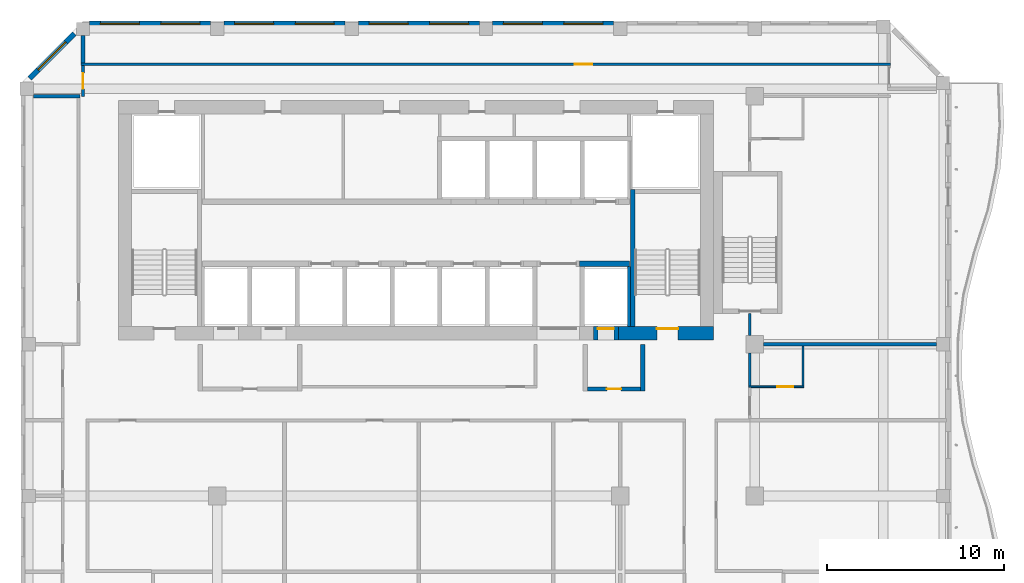
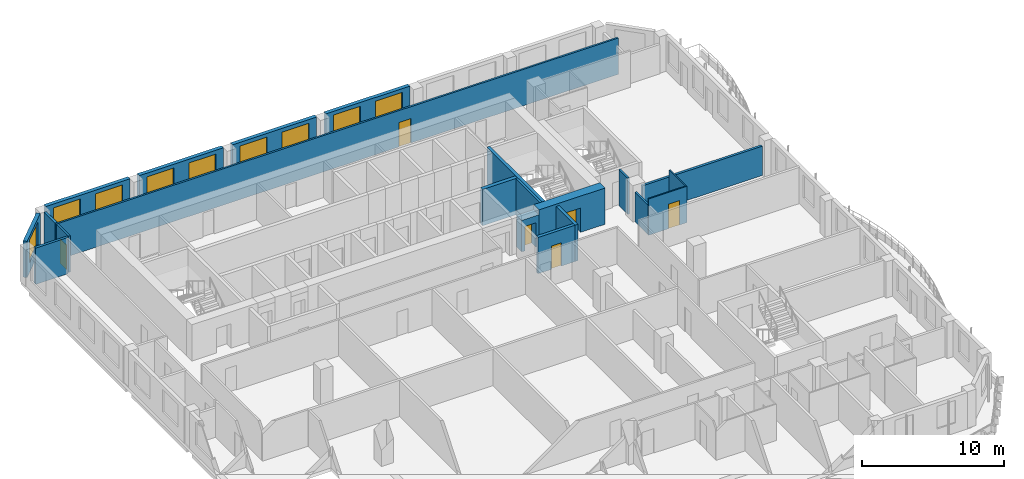
# One storey, part 8 of 21: 21 walls, 9 windows, 6 doors, 15 openings.
"""IFC4 building model written with IfcOpenShell, lengths in metres."""

from ifc_helpers import new_model, si_unit, direction, frame, frame_2d, origin, place, context, subcontext, project, spatial, rectangle, extrude, source, transform, mapped, material, layer, layer_set, type_object, element, fill, save


model = new_model("IFC4")

# Units and contexts
model_context = context("Model", 3, precision=1e-05, world=origin(), true_north=direction((0.0, 1.0)))
body_context = subcontext(model_context, "Body", "Model", "MODEL_VIEW")
ifc_project = project(units=[si_unit("LENGTHUNIT", "METRE"), si_unit("AREAUNIT", "SQUARE_METRE"), si_unit("VOLUMEUNIT", "CUBIC_METRE"), si_unit("PLANEANGLEUNIT", "RADIAN"), si_unit("MASSUNIT", "GRAM", prefix="KILO")], contexts=[model_context])

# Site, building, storey
site_placement = place(None, origin())
site = spatial("IfcSite", under=ifc_project, at=site_placement, CompositionType="ELEMENT")
building_placement = place(site_placement, origin())
building = spatial("IfcBuilding", under=site, at=building_placement, Name="Kilnfold Tower and Market Hall", CompositionType="ELEMENT")
storey_placement = place(building_placement, frame((0.0, 0.0, 210.10009765625)))
storey = spatial("IfcBuildingStorey", under=building, at=storey_placement, Name="L51", CompositionType="ELEMENT", Elevation=210.10009765625)

# Wall, opening, door
ifc_material_1 = material(Name="Gypsum board on steel studs", Category="steel")
ifc_layer_1 = layer(ifc_material_1, 0.14990234375)
ifc_layer_set_1 = layer_set([ifc_layer_1], Name="Gypsum board on steel studs")
wall_type_1 = type_object("IfcWallType", Name="WALL CORRIDOR 150", PredefinedType="PARTITIONING", material=ifc_layer_set_1)
wall_1_placement = place(storey_placement, frame((-17.75, 23.72509765625, 0.0), z_axis=(0.0, 0.0, 1.0), x_axis=(0.0, -1.0, 0.0)))
wall_1 = element("IfcWall", 1, at=wall_1_placement, inside=storey, type_object=wall_type_1, Name="Partition LY31.17", PredefinedType="PARTITIONING", context=body_context, shape_type="SweptSolid", body=[
    extrude(rectangle(XDim=1.72509765625, YDim=0.14990234375, at=frame_2d((0.862548828125, 0.0))), origin(), (0.0, 0.0, 1.0), 3.119873046875),
])
opening_1_placement = place(wall_1_placement, frame((0.4130859375, 0.0, 0.0)))
opening_1 = element("IfcOpeningElement", 2, at=opening_1_placement, cuts=wall_1, Name="Opening D2", PredefinedType="OPENING", context=body_context, shape_type="SweptSolid", body=[
    extrude(rectangle(XDim=0.89990234375, YDim=2.10009765625, at=frame_2d((0.449951171875, 1.050048828125))), frame((0.0, 0.0849609375, 0.0), z_axis=(0.0, -1.0, 0.0), x_axis=(1.0, 0.0, 0.0)), (0.0, 0.0, 1.0), 0.169921875),
])
ifc_material_2 = material(Name="Timber veneer door leaf in steel frame", Category="steel")
door_type_1 = type_object("IfcDoorType", Name="DOOR ROOM 900 X2100", OperationType="NOTDEFINED", PredefinedType="DOOR", material=ifc_material_2)
door_1_placement = place(opening_1_placement, origin())
door_1 = element("IfcDoor", 3, at=door_1_placement, inside=storey, type_object=door_type_1, Name="Door D2", OperationType="SINGLE_SWING_LEFT", OverallHeight=2.10009765625, OverallWidth=0.89990234375, PredefinedType="DOOR", context=body_context, shape_type="SweptSolid", body=[
    extrude(rectangle(XDim=0.89990234375, YDim=2.10009765625, at=frame_2d((0.449951171875, 1.050048828125))), frame((0.0, 0.02490234375, 0.0), z_axis=(0.0, -1.0, 0.0), x_axis=(1.0, 0.0, 0.0)), (0.0, 0.0, 1.0), 0.050048828125),
])
fill(opening_1, door_1)

# Walls
wall_2_placement = place(storey_placement, frame((19.89990234375, 5.639892578125, 0.0), z_axis=(0.0, 0.0, 1.0), x_axis=(0.0, 1.0, 0.0)))
element("IfcWall", 4, at=wall_2_placement, inside=storey, type_object=wall_type_1, Name="Partition LY31.19", PredefinedType="PARTITIONING", context=body_context, shape_type="SweptSolid", body=[
    extrude(rectangle(XDim=1.860107421875, YDim=0.14990234375, at=frame_2d((0.93017578125, 0.0))), origin(), (0.0, 0.0, 1.0), 2.52001953125),
])
wall_3_placement = place(storey_placement, frame((19.89990234375, 8.5, 0.0), z_axis=(0.0, 0.0, 1.0), x_axis=(0.0, 1.0, 0.0)))
element("IfcWall", 5, at=wall_3_placement, inside=storey, type_object=wall_type_1, Name="Partition LY31.21", PredefinedType="PARTITIONING", context=body_context, shape_type="SweptSolid", body=[
    extrude(rectangle(XDim=1.25, YDim=0.14990234375, at=frame_2d((0.625, 0.0))), origin(), (0.0, 0.0, 1.0), 3.119873046875),
])

# Wall, opening, door
wall_4_placement = place(storey_placement, frame((27.85009765625, 23.800048828125, 0.0), z_axis=(0.0, 0.0, 1.0), x_axis=(-1.0, 0.0, 0.0)))
wall_4 = element("IfcWall", 6, at=wall_4_placement, inside=storey, type_object=wall_type_1, Name="Partition LY31.31", PredefinedType="PARTITIONING", context=body_context, shape_type="SweptSolid", body=[
    extrude(rectangle(XDim=45.7001953125, YDim=0.14990234375, at=frame_2d((22.85009765625, 0.0))), origin(), (0.0, 0.0, 1.0), 3.119873046875),
])
opening_2_placement = place(wall_4_placement, frame((16.837890625, 0.0, 0.0)))
opening_2 = element("IfcOpeningElement", 7, at=opening_2_placement, cuts=wall_4, Name="Opening D4", PredefinedType="OPENING", context=body_context, shape_type="SweptSolid", body=[
    extrude(rectangle(XDim=1.0, YDim=2.10009765625, at=frame_2d((0.5, 1.050048828125))), frame((0.0, 0.0849609375, 0.0), z_axis=(0.0, -1.0, 0.0), x_axis=(1.0, 0.0, 0.0)), (0.0, 0.0, 1.0), 0.169921875),
])
ifc_material_3 = material(Name="Timber veneer door leaf in steel frame", Category="steel")
door_type_2 = type_object("IfcDoorType", Name="DOOR SERVICE 1000 X2100", OperationType="NOTDEFINED", PredefinedType="DOOR", material=ifc_material_3)
door_2_placement = place(opening_2_placement, origin())
door_2 = element("IfcDoor", 8, at=door_2_placement, inside=storey, type_object=door_type_2, Name="Door D4", OperationType="SINGLE_SWING_LEFT", OverallHeight=2.10009765625, OverallWidth=1.0, PredefinedType="DOOR", context=body_context, shape_type="SweptSolid", body=[
    extrude(rectangle(XDim=1.0, YDim=2.10009765625, at=frame_2d((0.5, 1.050048828125))), frame((0.0, 0.02490234375, 0.0), z_axis=(0.0, -1.0, 0.0), x_axis=(1.0, 0.0, 0.0)), (0.0, 0.0, 1.0), 0.050048828125),
])
fill(opening_2, door_2)

ifc_material_4 = material(Name="Gypsum board on steel studs", Category="steel")
ifc_layer_2 = layer(ifc_material_4, 0.10009765625)
ifc_layer_set_2 = layer_set([ifc_layer_2], Name="Gypsum board on steel studs")
wall_type_2 = type_object("IfcWallType", Name="WALL PARTITION 100", PredefinedType="PARTITIONING", material=ifc_layer_set_2)
wall_5_placement = place(storey_placement, frame((22.951904296875, 5.60009765625, 0.0), z_axis=(0.0, 0.0, 1.0), x_axis=(-1.0, 0.0, 0.0)))
wall_5 = element("IfcWall", 9, at=wall_5_placement, inside=storey, type_object=wall_type_2, Name="Partition LY31.85", PredefinedType="PARTITIONING", context=body_context, shape_type="SweptSolid", body=[
    extrude(rectangle(XDim=3.125, YDim=0.10009765625, at=frame_2d((1.5625, 0.0))), origin(), (0.0, 0.0, 1.0), 3.119873046875),
])
opening_3_placement = place(wall_5_placement, frame((0.60595703125, 0.0, 0.0)))
opening_3 = element("IfcOpeningElement", 10, at=opening_3_placement, cuts=wall_5, Name="Opening D3", PredefinedType="OPENING", context=body_context, shape_type="SweptSolid", body=[
    extrude(rectangle(XDim=0.89990234375, YDim=2.10009765625, at=frame_2d((0.449951171875, 1.050048828125))), frame((0.0, 0.06005859375, 0.0), z_axis=(0.0, -1.0, 0.0), x_axis=(1.0, 0.0, 0.0)), (0.0, 0.0, 1.0), 0.1201171875),
])
ifc_material_5 = material(Name="Timber veneer door leaf in steel frame", Category="steel")
door_type_3 = type_object("IfcDoorType", Name="DOOR WC 900 X2100", OperationType="NOTDEFINED", PredefinedType="DOOR", material=ifc_material_5)
door_3_placement = place(opening_3_placement, origin())
door_3 = element("IfcDoor", 11, at=door_3_placement, inside=storey, type_object=door_type_3, Name="Door D3", OperationType="SINGLE_SWING_LEFT", OverallHeight=2.10009765625, OverallWidth=0.89990234375, PredefinedType="DOOR", context=body_context, shape_type="SweptSolid", body=[
    extrude(rectangle(XDim=0.89990234375, YDim=2.10009765625, at=frame_2d((0.449951171875, 1.050048828125))), frame((0.0, 0.02490234375, 0.0), z_axis=(0.0, -1.0, 0.0), x_axis=(1.0, 0.0, 0.0)), (0.0, 0.0, 1.0), 0.050048828125),
])
fill(opening_3, door_3)

# Walls
wall_6_placement = place(storey_placement, frame((22.902099609375, 5.64990234375, 0.0), z_axis=(0.0, 0.0, 1.0), x_axis=(0.0, 1.0, 0.0)))
element("IfcWall", 12, at=wall_6_placement, inside=storey, type_object=wall_type_2, Name="Partition LY31.86", PredefinedType="PARTITIONING", context=body_context, shape_type="SweptSolid", body=[
    extrude(rectangle(XDim=2.25, YDim=0.10009765625, at=frame_2d((1.125, 0.0))), origin(), (0.0, 0.0, 1.0), 3.119873046875),
])
ifc_material_6 = material(Name="Gypsum board on steel studs", Category="steel")
ifc_layer_3 = layer(ifc_material_6, 0.199951171875)
ifc_layer_set_3 = layer_set([ifc_layer_3], Name="Gypsum board on steel studs")
wall_type_3 = type_object("IfcWallType", Name="WALL PARTY 200", PredefinedType="PARTITIONING", material=ifc_layer_set_3)
wall_7_placement = place(storey_placement, frame((-17.927001953125, 22.0, 0.0), z_axis=(0.0, 0.0, 1.0), x_axis=(-1.0, 0.0, 0.0)))
element("IfcWall", 13, at=wall_7_placement, inside=storey, type_object=wall_type_3, Name="Partition LY31.78", PredefinedType="PARTITIONING", context=body_context, shape_type="SweptSolid", body=[
    extrude(rectangle(XDim=2.6298828125, YDim=0.199951171875, at=frame_2d((1.31494140625, 0.0))), origin(), (0.0, 0.0, 1.0), 3.119873046875),
])
wall_8_placement = place(storey_placement, frame((-17.75, 23.876953125, 0.0), z_axis=(0.0, 0.0, 1.0), x_axis=(0.0, 1.0, 0.0)))
element("IfcWall", 14, at=wall_8_placement, inside=storey, type_object=wall_type_3, Name="Partition LY31.84", PredefinedType="PARTITIONING", context=body_context, shape_type="SweptSolid", body=[
    extrude(rectangle(XDim=1.548095703125, YDim=0.199951171875, at=frame_2d((0.77392578125, 0.0))), origin(), (0.0, 0.0, 1.0), 3.119873046875),
])
wall_9_placement = place(storey_placement, frame((20.6669921875, 8.0, 0.0), z_axis=(0.0, 0.0, 1.0), x_axis=(1.0, 0.0, 0.0)))
element("IfcWall", 15, at=wall_9_placement, inside=storey, type_object=wall_type_3, Name="Partition LY31.88", PredefinedType="PARTITIONING", context=body_context, shape_type="SweptSolid", body=[
    extrude(rectangle(XDim=9.758056640625, YDim=0.199951171875, at=frame_2d((4.87890625, 0.0))), origin(), (0.0, 0.0, 1.0), 2.52001953125),
])
ifc_material_7 = material(Name="Concrete C60", Category="concrete")
ifc_layer_4 = layer(ifc_material_7, 0.25)
ifc_layer_set_4 = layer_set([ifc_layer_4], Name="Concrete C60")
wall_type_4 = type_object("IfcWallType", Name="CORE WALL 250 C60", PredefinedType="SHEAR", material=ifc_layer_set_4)
shared_shape_1 = source(origin(), body_context, "Body", "SweptSolid", [
    extrude(rectangle(XDim=7.75, YDim=0.25, at=frame_2d((3.875, 0.0))), origin(), (0.0, 0.0, 1.0), 3.119873046875),
])
wall_10_placement = place(storey_placement, frame((13.27490234375, 9.0, 0.0), z_axis=(0.0, 0.0, 1.0), x_axis=(0.0, 1.0, 0.0)))
element("IfcWall", 16, at=wall_10_placement, inside=storey, type_object=wall_type_4, Name="Stair enclosure ST2", PredefinedType="SHEAR", context=body_context, shape_type="MappedRepresentation", body=[
    mapped(shared_shape_1, transform((0.0, 0.0, 0.0))),
])
ifc_material_8 = material(Name="Concrete C60", Category="concrete")
ifc_layer_5 = layer(ifc_material_8, 0.300048828125)
ifc_layer_set_5 = layer_set([ifc_layer_5], Name="Concrete C60")
wall_type_5 = type_object("IfcWallType", Name="CORE WALL 300 C60", PredefinedType="SHEAR", material=ifc_layer_set_5)
shared_shape_2 = source(origin(), body_context, "Body", "SweptSolid", [
    extrude(rectangle(XDim=2.820068359375, YDim=0.300048828125, at=frame_2d((1.41015625, 0.0))), origin(), (0.0, 0.0, 1.0), 3.119873046875),
])
wall_11_placement = place(storey_placement, frame((10.2900390625, 12.550048828125, 0.0), z_axis=(0.0, 0.0, 1.0), x_axis=(1.0, 0.0, 0.0)))
element("IfcWall", 17, at=wall_11_placement, inside=storey, type_object=wall_type_5, Name="Core spine wall", PredefinedType="SHEAR", context=body_context, shape_type="MappedRepresentation", body=[
    mapped(shared_shape_2, transform((0.0, 0.0, 0.0))),
])

# Wall, opening, door
ifc_material_9 = material(Name="Concrete C60", Category="concrete")
ifc_layer_6 = layer(ifc_material_9, 0.75)
ifc_layer_set_6 = layer_set([ifc_layer_6], Name="Concrete C60")
wall_type_6 = type_object("IfcWallType", Name="CORE WALL 750 C60", PredefinedType="SHEAR", material=ifc_layer_set_6)
shared_shape_3 = source(origin(), body_context, "Body", "SweptSolid", [
    extrude(rectangle(XDim=5.380126953125, YDim=0.75, at=frame_2d((2.68994140625, 0.0))), origin(), (0.0, 0.0, 1.0), 3.119873046875),
])
wall_12_placement = place(storey_placement, frame((12.469970703125, 8.625, 0.0), z_axis=(0.0, 0.0, 1.0), x_axis=(1.0, 0.0, 0.0)))
wall_12 = element("IfcWall", 18, at=wall_12_placement, inside=storey, type_object=wall_type_6, Name="Core outer wall south", PredefinedType="SHEAR", context=body_context, shape_type="MappedRepresentation", body=[
    mapped(shared_shape_3, transform((0.0, 0.0, 0.0))),
])
opening_4_placement = place(wall_12_placement, frame((2.179931640625, 0.0, 0.0)))
opening_4 = element("IfcOpeningElement", 19, at=opening_4_placement, cuts=wall_12, Name="Opening SD1", PredefinedType="OPENING", context=body_context, shape_type="SweptSolid", body=[
    extrude(rectangle(XDim=1.199951171875, YDim=2.10009765625, at=frame_2d((0.60009765625, 1.050048828125))), frame((0.0, 0.385009765625, 0.0), z_axis=(0.0, -1.0, 0.0), x_axis=(1.0, 0.0, 0.0)), (0.0, 0.0, 1.0), 0.77001953125),
])
ifc_material_10 = material(Name="Steel door set with fire-resisting leaf", Category="steel")
door_type_4 = type_object("IfcDoorType", Name="STAIR FLOOR DOOR 1200X2100", OperationType="NOTDEFINED", PredefinedType="DOOR", material=ifc_material_10)
door_4_placement = place(opening_4_placement, origin())
door_4 = element("IfcDoor", 20, at=door_4_placement, inside=storey, type_object=door_type_4, Name="Exit stair ST2 door", OperationType="DOUBLE_DOOR_SINGLE_SWING", OverallHeight=2.10009765625, OverallWidth=1.199951171875, PredefinedType="DOOR", context=body_context, shape_type="SweptSolid", body=[
    extrude(rectangle(XDim=1.199951171875, YDim=2.10009765625, at=frame_2d((0.60009765625, 1.050048828125))), frame((0.0, 0.27978515625, 0.0), z_axis=(0.0, -1.0, 0.0), x_axis=(1.0, 0.0, 0.0)), (0.0, 0.0, 1.0), 0.050048828125),
])
fill(opening_4, door_4)

# Wall, openings, windows
ifc_material_11 = material(Name="Precast concrete C50/60", Category="concrete")
ifc_layer_7 = layer(ifc_material_11, 0.300048828125)
ifc_layer_set_7 = layer_set([ifc_layer_7], Name="Precast concrete C50/60")
wall_type_7 = type_object("IfcWallType", Name="PRECAST WALL 300", PredefinedType="SOLIDWALL", material=ifc_layer_set_7)
shared_shape_4 = source(origin(), body_context, "Body", "SweptSolid", [
    extrude(rectangle(XDim=6.833251953125, YDim=0.300048828125, at=frame_2d((3.41650390625, 0.0))), origin(), (0.0, 0.0, 1.0), 3.119873046875),
])
wall_13_placement = place(storey_placement, frame((12.208251953125, 26.10009765625, 0.0), z_axis=(0.0, 0.0, 1.0), x_axis=(-1.0, 0.0, 0.0)))
wall_13 = element("IfcWall", 21, at=wall_13_placement, inside=storey, type_object=wall_type_7, Name="External wall L51 N", PredefinedType="SOLIDWALL", context=body_context, shape_type="MappedRepresentation", body=[
    mapped(shared_shape_4, transform((0.0, 0.0, 0.0))),
])
opening_5_placement = place(wall_13_placement, frame((0.6083984375, 0.0, 0.85009765625)))
opening_5 = element("IfcOpeningElement", 22, at=opening_5_placement, cuts=wall_13, Name="Opening W2", PredefinedType="OPENING", context=body_context, shape_type="SweptSolid", body=[
    extrude(rectangle(XDim=2.199951171875, YDim=1.949951171875, at=frame_2d((1.10009765625, 0.97509765625))), frame((0.0, 0.16015625, 0.0), z_axis=(0.0, -1.0, 0.0), x_axis=(1.0, 0.0, 0.0)), (0.0, 0.0, 1.0), 0.320068359375),
])
opening_6_placement = place(wall_13_placement, frame((4.02490234375, 0.0, 0.85009765625)))
opening_6 = element("IfcOpeningElement", 23, at=opening_6_placement, cuts=wall_13, Name="Opening W2", PredefinedType="OPENING", context=body_context, shape_type="SweptSolid", body=[
    extrude(rectangle(XDim=2.199951171875, YDim=1.949951171875, at=frame_2d((1.10009765625, 0.97509765625))), frame((0.0, 0.16015625, 0.0), z_axis=(0.0, -1.0, 0.0), x_axis=(1.0, 0.0, 0.0)), (0.0, 0.0, 1.0), 0.320068359375),
])
ifc_material_12 = material(Name="Aluminium frame and double glazing", Category="aluminium")
window_type = type_object("IfcWindowType", Name="WINDOW W2 2200X1950", PartitioningType="SINGLE_PANEL", PredefinedType="WINDOW", material=ifc_material_12)
window_1_placement = place(opening_5_placement, origin())
window_1 = element("IfcWindow", 24, at=window_1_placement, inside=storey, type_object=window_type, Name="Window W2 L51 N-1", OverallHeight=1.949951171875, OverallWidth=2.199951171875, PartitioningType="SINGLE_PANEL", PredefinedType="WINDOW", context=body_context, shape_type="SweptSolid", body=[
    extrude(rectangle(XDim=2.199951171875, YDim=1.949951171875, at=frame_2d((1.10009765625, 0.97509765625))), frame((0.0, 0.030029296875, 0.0), z_axis=(0.0, -1.0, 0.0), x_axis=(1.0, 0.0, 0.0)), (0.0, 0.0, 1.0), 0.06005859375),
])
fill(opening_5, window_1)
window_2_placement = place(opening_6_placement, origin())
window_2 = element("IfcWindow", 25, at=window_2_placement, inside=storey, type_object=window_type, Name="Window W2 L51 N-2", OverallHeight=1.949951171875, OverallWidth=2.199951171875, PartitioningType="SINGLE_PANEL", PredefinedType="WINDOW", context=body_context, shape_type="SweptSolid", body=[
    extrude(rectangle(XDim=2.199951171875, YDim=1.949951171875, at=frame_2d((1.10009765625, 0.97509765625))), frame((0.0, 0.030029296875, 0.0), z_axis=(0.0, -1.0, 0.0), x_axis=(1.0, 0.0, 0.0)), (0.0, 0.0, 1.0), 0.06005859375),
])
fill(opening_6, window_2)

wall_14_placement = place(storey_placement, frame((4.625, 26.10009765625, 0.0), z_axis=(0.0, 0.0, 1.0), x_axis=(-1.0, 0.0, 0.0)))
wall_14 = element("IfcWall", 26, at=wall_14_placement, inside=storey, type_object=wall_type_7, Name="External wall L51 N", PredefinedType="SOLIDWALL", context=body_context, shape_type="MappedRepresentation", body=[
    mapped(shared_shape_4, transform((0.0, 0.0, 0.0))),
])
opening_7_placement = place(wall_14_placement, frame((0.6083984375, 0.0, 0.85009765625)))
opening_7 = element("IfcOpeningElement", 27, at=opening_7_placement, cuts=wall_14, Name="Opening W2", PredefinedType="OPENING", context=body_context, shape_type="SweptSolid", body=[
    extrude(rectangle(XDim=2.199951171875, YDim=1.949951171875, at=frame_2d((1.10009765625, 0.97509765625))), frame((0.0, 0.16015625, 0.0), z_axis=(0.0, -1.0, 0.0), x_axis=(1.0, 0.0, 0.0)), (0.0, 0.0, 1.0), 0.320068359375),
])
opening_8_placement = place(wall_14_placement, frame((4.02490234375, 0.0, 0.85009765625)))
opening_8 = element("IfcOpeningElement", 28, at=opening_8_placement, cuts=wall_14, Name="Opening W2", PredefinedType="OPENING", context=body_context, shape_type="SweptSolid", body=[
    extrude(rectangle(XDim=2.199951171875, YDim=1.949951171875, at=frame_2d((1.10009765625, 0.97509765625))), frame((0.0, 0.16015625, 0.0), z_axis=(0.0, -1.0, 0.0), x_axis=(1.0, 0.0, 0.0)), (0.0, 0.0, 1.0), 0.320068359375),
])
window_3_placement = place(opening_7_placement, origin())
window_3 = element("IfcWindow", 29, at=window_3_placement, inside=storey, type_object=window_type, Name="Window W2 L51 N-1", OverallHeight=1.949951171875, OverallWidth=2.199951171875, PartitioningType="SINGLE_PANEL", PredefinedType="WINDOW", context=body_context, shape_type="SweptSolid", body=[
    extrude(rectangle(XDim=2.199951171875, YDim=1.949951171875, at=frame_2d((1.10009765625, 0.97509765625))), frame((0.0, 0.030029296875, 0.0), z_axis=(0.0, -1.0, 0.0), x_axis=(1.0, 0.0, 0.0)), (0.0, 0.0, 1.0), 0.06005859375),
])
fill(opening_7, window_3)
window_4_placement = place(opening_8_placement, origin())
window_4 = element("IfcWindow", 30, at=window_4_placement, inside=storey, type_object=window_type, Name="Window W2 L51 N-2", OverallHeight=1.949951171875, OverallWidth=2.199951171875, PartitioningType="SINGLE_PANEL", PredefinedType="WINDOW", context=body_context, shape_type="SweptSolid", body=[
    extrude(rectangle(XDim=2.199951171875, YDim=1.949951171875, at=frame_2d((1.10009765625, 0.97509765625))), frame((0.0, 0.030029296875, 0.0), z_axis=(0.0, -1.0, 0.0), x_axis=(1.0, 0.0, 0.0)), (0.0, 0.0, 1.0), 0.06005859375),
])
fill(opening_8, window_4)

wall_15_placement = place(storey_placement, frame((-10.541748046875, 26.10009765625, 0.0), z_axis=(0.0, 0.0, 1.0), x_axis=(-1.0, 0.0, 0.0)))
wall_15 = element("IfcWall", 31, at=wall_15_placement, inside=storey, type_object=wall_type_7, Name="External wall L51 N", PredefinedType="SOLIDWALL", context=body_context, shape_type="MappedRepresentation", body=[
    mapped(shared_shape_4, transform((0.0, 0.0, 0.0))),
])
opening_9_placement = place(wall_15_placement, frame((0.6083984375, 0.0, 0.85009765625)))
opening_9 = element("IfcOpeningElement", 32, at=opening_9_placement, cuts=wall_15, Name="Opening W2", PredefinedType="OPENING", context=body_context, shape_type="SweptSolid", body=[
    extrude(rectangle(XDim=2.199951171875, YDim=1.949951171875, at=frame_2d((1.10009765625, 0.97509765625))), frame((0.0, 0.16015625, 0.0), z_axis=(0.0, -1.0, 0.0), x_axis=(1.0, 0.0, 0.0)), (0.0, 0.0, 1.0), 0.320068359375),
])
opening_10_placement = place(wall_15_placement, frame((4.02490234375, 0.0, 0.85009765625)))
opening_10 = element("IfcOpeningElement", 33, at=opening_10_placement, cuts=wall_15, Name="Opening W2", PredefinedType="OPENING", context=body_context, shape_type="SweptSolid", body=[
    extrude(rectangle(XDim=2.199951171875, YDim=1.949951171875, at=frame_2d((1.10009765625, 0.97509765625))), frame((0.0, 0.16015625, 0.0), z_axis=(0.0, -1.0, 0.0), x_axis=(1.0, 0.0, 0.0)), (0.0, 0.0, 1.0), 0.320068359375),
])
window_5_placement = place(opening_9_placement, origin())
window_5 = element("IfcWindow", 34, at=window_5_placement, inside=storey, type_object=window_type, Name="Window W2 L51 N-1", OverallHeight=1.949951171875, OverallWidth=2.199951171875, PartitioningType="SINGLE_PANEL", PredefinedType="WINDOW", context=body_context, shape_type="SweptSolid", body=[
    extrude(rectangle(XDim=2.199951171875, YDim=1.949951171875, at=frame_2d((1.10009765625, 0.97509765625))), frame((0.0, 0.030029296875, 0.0), z_axis=(0.0, -1.0, 0.0), x_axis=(1.0, 0.0, 0.0)), (0.0, 0.0, 1.0), 0.06005859375),
])
fill(opening_9, window_5)
window_6_placement = place(opening_10_placement, origin())
window_6 = element("IfcWindow", 35, at=window_6_placement, inside=storey, type_object=window_type, Name="Window W2 L51 N-2", OverallHeight=1.949951171875, OverallWidth=2.199951171875, PartitioningType="SINGLE_PANEL", PredefinedType="WINDOW", context=body_context, shape_type="SweptSolid", body=[
    extrude(rectangle(XDim=2.199951171875, YDim=1.949951171875, at=frame_2d((1.10009765625, 0.97509765625))), frame((0.0, 0.030029296875, 0.0), z_axis=(0.0, -1.0, 0.0), x_axis=(1.0, 0.0, 0.0)), (0.0, 0.0, 1.0), 0.06005859375),
])
fill(opening_10, window_6)

shared_shape_5 = source(origin(), body_context, "Body", "SweptSolid", [
    extrude(rectangle(XDim=6.83349609375, YDim=0.300048828125, at=frame_2d((3.416748046875, 0.0))), origin(), (0.0, 0.0, 1.0), 3.119873046875),
])
wall_16_placement = place(storey_placement, frame((-2.958251953125, 26.10009765625, 0.0), z_axis=(0.0, 0.0, 1.0), x_axis=(-1.0, 0.0, 0.0)))
wall_16 = element("IfcWall", 36, at=wall_16_placement, inside=storey, type_object=wall_type_7, Name="External wall L51 N", PredefinedType="SOLIDWALL", context=body_context, shape_type="MappedRepresentation", body=[
    mapped(shared_shape_5, transform((0.0, 0.0, 0.0))),
])
opening_11_placement = place(wall_16_placement, frame((0.6083984375, 0.0, 0.85009765625)))
opening_11 = element("IfcOpeningElement", 37, at=opening_11_placement, cuts=wall_16, Name="Opening W2", PredefinedType="OPENING", context=body_context, shape_type="SweptSolid", body=[
    extrude(rectangle(XDim=2.199951171875, YDim=1.949951171875, at=frame_2d((1.10009765625, 0.97509765625))), frame((0.0, 0.16015625, 0.0), z_axis=(0.0, -1.0, 0.0), x_axis=(1.0, 0.0, 0.0)), (0.0, 0.0, 1.0), 0.320068359375),
])
opening_12_placement = place(wall_16_placement, frame((4.02490234375, 0.0, 0.85009765625)))
opening_12 = element("IfcOpeningElement", 38, at=opening_12_placement, cuts=wall_16, Name="Opening W2", PredefinedType="OPENING", context=body_context, shape_type="SweptSolid", body=[
    extrude(rectangle(XDim=2.199951171875, YDim=1.949951171875, at=frame_2d((1.10009765625, 0.97509765625))), frame((0.0, 0.16015625, 0.0), z_axis=(0.0, -1.0, 0.0), x_axis=(1.0, 0.0, 0.0)), (0.0, 0.0, 1.0), 0.320068359375),
])
window_7_placement = place(opening_11_placement, origin())
window_7 = element("IfcWindow", 39, at=window_7_placement, inside=storey, type_object=window_type, Name="Window W2 L51 N-1", OverallHeight=1.949951171875, OverallWidth=2.199951171875, PartitioningType="SINGLE_PANEL", PredefinedType="WINDOW", context=body_context, shape_type="SweptSolid", body=[
    extrude(rectangle(XDim=2.199951171875, YDim=1.949951171875, at=frame_2d((1.10009765625, 0.97509765625))), frame((0.0, 0.030029296875, 0.0), z_axis=(0.0, -1.0, 0.0), x_axis=(1.0, 0.0, 0.0)), (0.0, 0.0, 1.0), 0.06005859375),
])
fill(opening_11, window_7)
window_8_placement = place(opening_12_placement, origin())
window_8 = element("IfcWindow", 40, at=window_8_placement, inside=storey, type_object=window_type, Name="Window W2 L51 N-2", OverallHeight=1.949951171875, OverallWidth=2.199951171875, PartitioningType="SINGLE_PANEL", PredefinedType="WINDOW", context=body_context, shape_type="SweptSolid", body=[
    extrude(rectangle(XDim=2.199951171875, YDim=1.949951171875, at=frame_2d((1.10009765625, 0.97509765625))), frame((0.0, 0.030029296875, 0.0), z_axis=(0.0, -1.0, 0.0), x_axis=(1.0, 0.0, 0.0)), (0.0, 0.0, 1.0), 0.06005859375),
])
fill(opening_12, window_8)

# Wall, opening, window
shared_shape_6 = source(origin(), body_context, "Body", "SweptSolid", [
    extrude(rectangle(XDim=3.571044921875, YDim=0.300048828125, at=frame_2d((1.78564453125, 0.0))), origin(), (0.0, 0.0, 1.0), 3.119873046875),
])
wall_17_placement = place(storey_placement, frame((-18.243896484375, 25.5439453125, 0.0), z_axis=(0.0, 0.0, 1.0), x_axis=(-0.707072595841, -0.707140964879, 0.0)))
wall_17 = element("IfcWall", 41, at=wall_17_placement, inside=storey, type_object=wall_type_7, Name="External wall L51 NW", PredefinedType="SOLIDWALL", context=body_context, shape_type="MappedRepresentation", body=[
    mapped(shared_shape_6, transform((0.0, 0.0, 0.0))),
])
opening_13_placement = place(wall_17_placement, frame((0.685546875, 0.0, 0.85009765625)))
opening_13 = element("IfcOpeningElement", 42, at=opening_13_placement, cuts=wall_17, Name="Opening W2", PredefinedType="OPENING", context=body_context, shape_type="SweptSolid", body=[
    extrude(rectangle(XDim=2.199951171875, YDim=1.949951171875, at=frame_2d((1.10009765625, 0.97509765625))), frame((0.0, 0.16015625, 0.0), z_axis=(0.0, -1.0, 0.0), x_axis=(1.0, 0.0, 0.0)), (0.0, 0.0, 1.0), 0.320068359375),
])
window_9_placement = place(opening_13_placement, origin())
window_9 = element("IfcWindow", 43, at=window_9_placement, inside=storey, type_object=window_type, Name="Window W2 L51 NW-1", OverallHeight=1.949951171875, OverallWidth=2.199951171875, PartitioningType="SINGLE_PANEL", PredefinedType="WINDOW", context=body_context, shape_type="SweptSolid", body=[
    extrude(rectangle(XDim=2.199951171875, YDim=1.949951171875, at=frame_2d((1.10009765625, 0.97509765625))), frame((0.0, 0.030029296875, 0.0), z_axis=(0.0, -1.0, 0.0), x_axis=(1.0, 0.0, 0.0)), (0.0, 0.0, 1.0), 0.06005859375),
])
fill(opening_13, window_9)

# Wall
ifc_material_13 = material(Name="Gypsum shaft wall system")
ifc_layer_8 = layer(ifc_material_13, 0.25)
ifc_layer_set_8 = layer_set([ifc_layer_8], Name="Gypsum shaft wall system")
wall_type_8 = type_object("IfcWallType", Name="LOBBY WALL 250", PredefinedType="PARTITIONING", material=ifc_layer_set_8)
shared_shape_7 = source(origin(), body_context, "Body", "SweptSolid", [
    extrude(rectangle(XDim=2.64990234375, YDim=0.25, at=frame_2d((1.324951171875, 0.0))), origin(), (0.0, 0.0, 1.0), 3.119873046875),
])
wall_18_placement = place(storey_placement, frame((13.85498046875, 5.35009765625, 0.0), z_axis=(0.0, 0.0, 1.0), x_axis=(0.0, 1.0, 0.0)))
element("IfcWall", 44, at=wall_18_placement, inside=storey, type_object=wall_type_8, Name="Firefighting lobby wall", PredefinedType="PARTITIONING", context=body_context, shape_type="MappedRepresentation", body=[
    mapped(shared_shape_7, transform((0.0, 0.0, 0.0))),
])

# Wall, opening, door
shared_shape_8 = source(origin(), body_context, "Body", "SweptSolid", [
    extrude(rectangle(XDim=3.0, YDim=0.25, at=frame_2d((1.5, 0.0))), origin(), (0.0, 0.0, 1.0), 3.119873046875),
])
wall_19_placement = place(storey_placement, frame((10.72998046875, 5.47509765625, 0.0), z_axis=(0.0, 0.0, 1.0), x_axis=(1.0, 0.0, 0.0)))
wall_19 = element("IfcWall", 45, at=wall_19_placement, inside=storey, type_object=wall_type_8, Name="Firefighting lobby wall", PredefinedType="PARTITIONING", context=body_context, shape_type="MappedRepresentation", body=[
    mapped(shared_shape_8, transform((0.0, 0.0, 0.0))),
])
opening_14_placement = place(wall_19_placement, frame((1.10009765625, 0.0, 0.0)))
opening_14 = element("IfcOpeningElement", 46, at=opening_14_placement, cuts=wall_19, Name="Opening VD1", PredefinedType="OPENING", context=body_context, shape_type="SweptSolid", body=[
    extrude(rectangle(XDim=0.800048828125, YDim=2.0, at=frame_2d((0.39990234375, 1.0))), frame((0.0, 0.135009765625, 0.0), z_axis=(0.0, -1.0, 0.0), x_axis=(1.0, 0.0, 0.0)), (0.0, 0.0, 1.0), 0.27001953125),
])
ifc_material_14 = material(Name="Steel door set with fire-resisting leaf", Category="steel")
door_type_5 = type_object("IfcDoorType", Name="FIREFIGHTING LOBBY DOOR 800X2000", OperationType="NOTDEFINED", PredefinedType="DOOR", material=ifc_material_14)
door_5_placement = place(opening_14_placement, origin())
door_5 = element("IfcDoor", 47, at=door_5_placement, inside=storey, type_object=door_type_5, Name="Firefighting lobby door", OperationType="SINGLE_SWING_RIGHT", OverallHeight=2.0, OverallWidth=0.800048828125, PredefinedType="DOOR", context=body_context, shape_type="SweptSolid", body=[
    extrude(rectangle(XDim=0.800048828125, YDim=2.0, at=frame_2d((0.39990234375, 1.0))), frame((0.0, 0.02490234375, 0.0), z_axis=(0.0, -1.0, 0.0), x_axis=(1.0, 0.0, 0.0)), (0.0, 0.0, 1.0), 0.050048828125),
])
fill(opening_14, door_5)

# Wall
ifc_material_15 = material(Name="Gypsum shaft wall system")
ifc_layer_9 = layer(ifc_material_15, 0.1650390625)
ifc_layer_set_9 = layer_set([ifc_layer_9], Name="Gypsum shaft wall system")
wall_type_9 = type_object("IfcWallType", Name="SHAFT WALL 165", PredefinedType="PARTITIONING", material=ifc_layer_set_9)
shared_shape_9 = source(origin(), body_context, "Body", "SweptSolid", [
    extrude(rectangle(XDim=3.39990234375, YDim=0.1650390625, at=frame_2d((1.699951171875, 0.0))), origin(), (0.0, 0.0, 1.0), 3.119873046875),
])
wall_20_placement = place(storey_placement, frame((13.0673828125, 9.0, 0.0), z_axis=(0.0, 0.0, 1.0), x_axis=(0.0, 1.0, 0.0)))
element("IfcWall", 48, at=wall_20_placement, inside=storey, type_object=wall_type_9, Name="Lift shaft wall", PredefinedType="PARTITIONING", context=body_context, shape_type="MappedRepresentation", body=[
    mapped(shared_shape_9, transform((0.0, 0.0, 0.0))),
])

# Wall, opening, door
ifc_material_16 = material(Name="Gypsum shaft wall system")
ifc_layer_10 = layer(ifc_material_16, 0.75)
ifc_layer_set_10 = layer_set([ifc_layer_10], Name="Gypsum shaft wall system")
wall_type_10 = type_object("IfcWallType", Name="LOBBY WALL 750", PredefinedType="PARTITIONING", material=ifc_layer_set_10)
shared_shape_10 = source(origin(), body_context, "Body", "SweptSolid", [
    extrude(rectangle(XDim=1.39990234375, YDim=0.75, at=frame_2d((0.699951171875, 0.0))), origin(), (0.0, 0.0, 1.0), 2.699951171875),
])
wall_21_placement = place(storey_placement, frame((11.070068359375, 8.625, 0.0), z_axis=(0.0, 0.0, 1.0), x_axis=(1.0, 0.0, 0.0)))
wall_21 = element("IfcWall", 49, at=wall_21_placement, inside=storey, type_object=wall_type_10, Name="Core wall infill", PredefinedType="PARTITIONING", context=body_context, shape_type="MappedRepresentation", body=[
    mapped(shared_shape_10, transform((0.0, 0.0, 0.0))),
])
opening_15_placement = place(wall_21_placement, frame((0.25, 0.0, 0.0)))
opening_15 = element("IfcOpeningElement", 50, at=opening_15_placement, cuts=wall_21, Name="Opening LD1", PredefinedType="OPENING", context=body_context, shape_type="SweptSolid", body=[
    extrude(rectangle(XDim=0.89990234375, YDim=2.10009765625, at=frame_2d((0.449951171875, 1.050048828125))), frame((0.0, 0.385009765625, 0.0), z_axis=(0.0, -1.0, 0.0), x_axis=(1.0, 0.0, 0.0)), (0.0, 0.0, 1.0), 0.77001953125),
])
ifc_material_17 = material(Name="Steel door set with fire-resisting leaf", Category="steel")
door_type_6 = type_object("IfcDoorType", Name="FIREFIGHTING LANDING DOOR 900X2100", OperationType="NOTDEFINED", PredefinedType="DOOR", material=ifc_material_17)
door_6_placement = place(opening_15_placement, origin())
door_6 = element("IfcDoor", 51, at=door_6_placement, inside=storey, type_object=door_type_6, Name="Landing door FF3", OperationType="SLIDING_TO_LEFT", OverallHeight=2.10009765625, OverallWidth=0.89990234375, PredefinedType="DOOR", context=body_context, shape_type="SweptSolid", body=[
    extrude(rectangle(XDim=0.89990234375, YDim=2.10009765625, at=frame_2d((0.449951171875, 1.050048828125))), frame((0.0, 0.27978515625, 0.0), z_axis=(0.0, -1.0, 0.0), x_axis=(1.0, 0.0, 0.0)), (0.0, 0.0, 1.0), 0.050048828125),
])
fill(opening_15, door_6)

save(model, "model.ifc")
